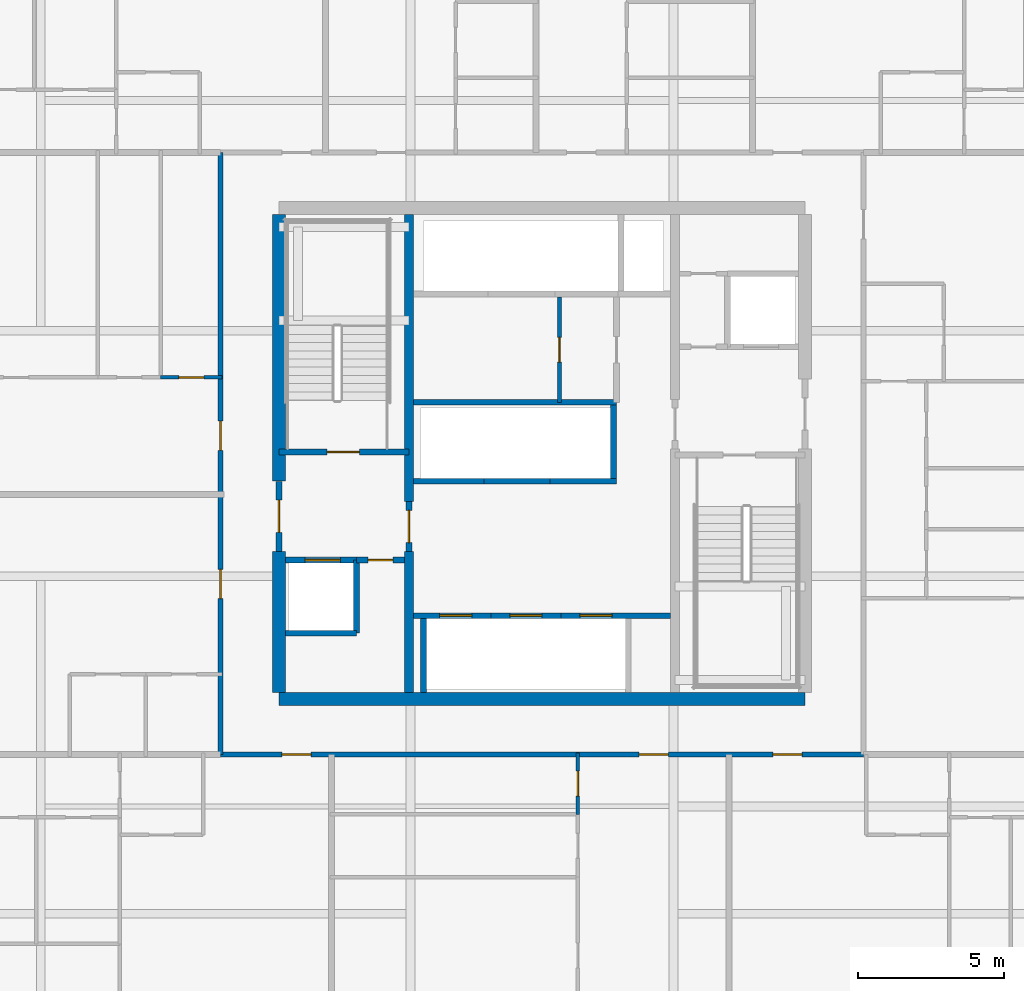
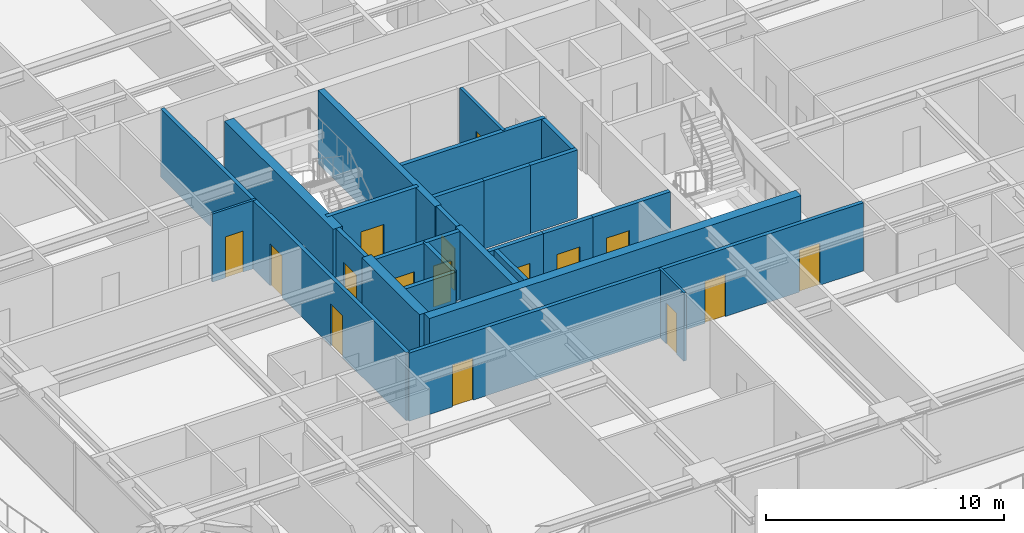
# One storey, part 28 of 41: 26 walls, 16 doors, 16 openings.
"""IFC4 building model written with IfcOpenShell, lengths in metres."""

from ifc_helpers import new_model, si_unit, direction, frame, frame_2d, origin, place, context, subcontext, project, spatial, rectangle, extrude, source, transform, mapped, material, layer, layer_set, type_object, element, fill, save


model = new_model("IFC4")

# Units and contexts
model_context = context("Model", 3, precision=1e-05, world=origin(), true_north=direction((0.0, 1.0)))
body_context = subcontext(model_context, "Body", "Model", "MODEL_VIEW")
ifc_project = project(units=[si_unit("LENGTHUNIT", "METRE"), si_unit("AREAUNIT", "SQUARE_METRE"), si_unit("VOLUMEUNIT", "CUBIC_METRE"), si_unit("PLANEANGLEUNIT", "RADIAN"), si_unit("MASSUNIT", "GRAM", prefix="KILO")], contexts=[model_context])

# Site, building, storey
site_placement = place(None, origin())
site = spatial("IfcSite", under=ifc_project, at=site_placement, CompositionType="ELEMENT")
building_placement = place(site_placement, origin())
building = spatial("IfcBuilding", under=site, at=building_placement, Name="Serunith Strait Residences", CompositionType="ELEMENT")
storey_placement = place(building_placement, frame((0.0, 0.0, 45.449951171875)))
storey = spatial("IfcBuildingStorey", under=building, at=storey_placement, Name="L10", CompositionType="ELEMENT", Elevation=45.449951171875)

# Wall, opening, door
ifc_material_1 = material(Name="Fire-rated masonry service closet wall", Category="masonry")
ifc_layer_1 = layer(ifc_material_1, 0.14990234375, Name="Fire-rated masonry service closet wall")
ifc_layer_set_1 = layer_set([ifc_layer_1], Name="Fire-rated masonry service closet wall")
wall_type_1 = type_object("IfcWallType", Name="IW-BOH-150", PredefinedType="PARTITIONING", material=ifc_layer_set_1)
wall_1_placement = place(storey_placement, frame((33.0, 26.949951171875, 0.0), z_axis=(0.0, 0.0, 1.0), x_axis=(0.0, 1.0, 0.0)))
wall_1 = element("IfcWall", 1, at=wall_1_placement, inside=storey, type_object=wall_type_1, Name="L10 Partition Wall 014", PredefinedType="PARTITIONING", context=body_context, shape_type="SweptSolid", body=[
    extrude(rectangle(XDim=3.60009765625, YDim=0.14990234375, at=frame_2d((1.800048828125, 0.0))), origin(), (0.0, 0.0, 1.0), 3.489990234375),
])
opening_1_placement = place(wall_1_placement, frame((1.375, 0.0, 0.0)))
opening_1 = element("IfcOpeningElement", 2, at=opening_1_placement, cuts=wall_1, Name="Opening FD-850", PredefinedType="OPENING", context=body_context, shape_type="SweptSolid", body=[
    extrude(rectangle(XDim=0.85009765625, YDim=2.10009765625, at=frame_2d((0.425048828125, 1.050048828125))), frame((0.0, 0.0849609375, 0.0), z_axis=(0.0, -1.0, 0.0), x_axis=(1.0, 0.0, 0.0)), (0.0, 0.0, 1.0), 0.169921875),
])
ifc_material_2 = material(Name="Powder-coated steel service closet door", Category="steel")
door_type_1 = type_object("IfcDoorType", Name="FD-BOH-850", OperationType="NOTDEFINED", PredefinedType="DOOR", material=ifc_material_2)
shared_shape_1 = source(origin(), body_context, "Body", "SweptSolid", [
    extrude(rectangle(XDim=0.85009765625, YDim=2.10009765625, at=frame_2d((0.425048828125, 1.050048828125))), frame((0.0, 0.02490234375, 0.0), z_axis=(0.0, -1.0, 0.0), x_axis=(1.0, 0.0, 0.0)), (0.0, 0.0, 1.0), 0.050048828125),
])
door_1_placement = place(opening_1_placement, origin())
door_1 = element("IfcDoor", 3, at=door_1_placement, inside=storey, type_object=door_type_1, Name="L10 LV Switchgear Door", OperationType="SINGLE_SWING_LEFT", OverallHeight=2.10009765625, OverallWidth=0.85009765625, PredefinedType="DOOR", context=body_context, shape_type="MappedRepresentation", body=[
    mapped(shared_shape_1, transform((0.0, 0.0, 0.0), scale=1.0)),
])
fill(opening_1, door_1)

# Wall, openings, doors
ifc_material_3 = material(Name="Fire-rated acoustic gypsum partition")
ifc_layer_2 = layer(ifc_material_3, 0.179931640625, Name="Fire-rated acoustic gypsum partition")
ifc_layer_set_2 = layer_set([ifc_layer_2], Name="Fire-rated acoustic gypsum partition")
wall_type_2 = type_object("IfcWallType", Name="IW-CORR-180", PredefinedType="PARTITIONING", material=ifc_layer_set_2)
wall_2_placement = place(storey_placement, frame((21.402099609375, 14.89990234375, 0.0), z_axis=(0.0, 0.0, 1.0), x_axis=(1.0, 0.0, 0.0)))
wall_2 = element("IfcWall", 4, at=wall_2_placement, inside=storey, type_object=wall_type_2, Name="L10 Partition Wall 025", PredefinedType="PARTITIONING", context=body_context, shape_type="SweptSolid", body=[
    extrude(rectangle(XDim=21.995849609375, YDim=0.179931640625, at=frame_2d((10.998046875, 0.0))), origin(), (0.0, 0.0, 1.0), 3.489990234375),
])
opening_2_placement = place(wall_2_placement, frame((2.10009765625, 0.0, 0.0)))
opening_2 = element("IfcOpeningElement", 5, at=opening_2_placement, cuts=wall_2, Name="Opening D-APT1000", PredefinedType="OPENING", context=body_context, shape_type="SweptSolid", body=[
    extrude(rectangle(XDim=1.0, YDim=2.14990234375, at=frame_2d((0.5, 1.074951171875))), frame((0.0, 0.10009765625, 0.0), z_axis=(0.0, -1.0, 0.0), x_axis=(1.0, 0.0, 0.0)), (0.0, 0.0, 1.0), 0.199951171875),
])
opening_3_placement = place(wall_2_placement, frame((14.319091796875, 0.0, 0.0)))
opening_3 = element("IfcOpeningElement", 6, at=opening_3_placement, cuts=wall_2, Name="Opening D-APT1000", PredefinedType="OPENING", context=body_context, shape_type="SweptSolid", body=[
    extrude(rectangle(XDim=1.0, YDim=2.14990234375, at=frame_2d((0.5, 1.074951171875))), frame((0.0, 0.10009765625, 0.0), z_axis=(0.0, -1.0, 0.0), x_axis=(1.0, 0.0, 0.0)), (0.0, 0.0, 1.0), 0.199951171875),
])
opening_4_placement = place(wall_2_placement, frame((18.89599609375, 0.0, 0.0)))
opening_4 = element("IfcOpeningElement", 7, at=opening_4_placement, cuts=wall_2, Name="Opening D-APT1000", PredefinedType="OPENING", context=body_context, shape_type="SweptSolid", body=[
    extrude(rectangle(XDim=1.0, YDim=2.14990234375, at=frame_2d((0.5, 1.074951171875))), frame((0.0, 0.10009765625, 0.0), z_axis=(0.0, -1.0, 0.0), x_axis=(1.0, 0.0, 0.0)), (0.0, 0.0, 1.0), 0.199951171875),
])
ifc_material_4 = material(Name="Solid timber engineered fire door", Category="wood")
door_type_2 = type_object("IfcDoorType", Name="ID-APT-1000", OperationType="NOTDEFINED", PredefinedType="DOOR", material=ifc_material_4)
shared_shape_2 = source(origin(), body_context, "Body", "SweptSolid", [
    extrude(rectangle(XDim=1.0, YDim=2.14990234375, at=frame_2d((0.5, 1.074951171875))), frame((0.0, 0.02490234375, 0.0), z_axis=(0.0, -1.0, 0.0), x_axis=(1.0, 0.0, 0.0)), (0.0, 0.0, 1.0), 0.050048828125),
])
door_2_placement = place(opening_2_placement, origin())
door_2 = element("IfcDoor", 8, at=door_2_placement, inside=storey, type_object=door_type_2, Name="L10 Unit 01 Entrance Door", OperationType="SINGLE_SWING_RIGHT", OverallHeight=2.14990234375, OverallWidth=1.0, PredefinedType="DOOR", context=body_context, shape_type="MappedRepresentation", body=[
    mapped(shared_shape_2, transform((0.0, 0.0, 0.0), scale=1.0)),
])
fill(opening_2, door_2)
door_3_placement = place(opening_3_placement, origin())
door_3 = element("IfcDoor", 9, at=door_3_placement, inside=storey, type_object=door_type_2, Name="L10 Unit 02 Entrance Door", OperationType="SINGLE_SWING_LEFT", OverallHeight=2.14990234375, OverallWidth=1.0, PredefinedType="DOOR", context=body_context, shape_type="MappedRepresentation", body=[
    mapped(shared_shape_2, transform((0.0, 0.0, 0.0), scale=1.0)),
])
fill(opening_3, door_3)
door_4_placement = place(opening_4_placement, origin())
door_4 = element("IfcDoor", 10, at=door_4_placement, inside=storey, type_object=door_type_2, Name="L10 Unit 03 Entrance Door", OperationType="SINGLE_SWING_RIGHT", OverallHeight=2.14990234375, OverallWidth=1.0, PredefinedType="DOOR", context=body_context, shape_type="MappedRepresentation", body=[
    mapped(shared_shape_2, transform((0.0, 0.0, 0.0), scale=1.0)),
])
fill(opening_4, door_4)

wall_3_placement = place(storey_placement, frame((21.39990234375, 14.89990234375, 0.0), z_axis=(0.0, 0.0, 1.0), x_axis=(0.0, 1.0, 0.0)))
wall_3 = element("IfcWall", 11, at=wall_3_placement, inside=storey, type_object=wall_type_2, Name="L10 Partition Wall 027", PredefinedType="PARTITIONING", context=body_context, shape_type="SweptSolid", body=[
    extrude(rectangle(XDim=20.60009765625, YDim=0.179931640625, at=frame_2d((10.300048828125, 0.0))), origin(), (0.0, 0.0, 1.0), 3.489990234375),
])
opening_5_placement = place(wall_3_placement, frame((5.3310546875, 0.0, 0.0)))
opening_5 = element("IfcOpeningElement", 12, at=opening_5_placement, cuts=wall_3, Name="Opening D-APT1000", PredefinedType="OPENING", context=body_context, shape_type="SweptSolid", body=[
    extrude(rectangle(XDim=1.0, YDim=2.14990234375, at=frame_2d((0.5, 1.074951171875))), frame((0.0, 0.10009765625, 0.0), z_axis=(0.0, -1.0, 0.0), x_axis=(1.0, 0.0, 0.0)), (0.0, 0.0, 1.0), 0.199951171875),
])
opening_6_placement = place(wall_3_placement, frame((10.407958984375, 0.0, 0.0)))
opening_6 = element("IfcOpeningElement", 13, at=opening_6_placement, cuts=wall_3, Name="Opening D-APT1000", PredefinedType="OPENING", context=body_context, shape_type="SweptSolid", body=[
    extrude(rectangle(XDim=1.0, YDim=2.14990234375, at=frame_2d((0.5, 1.074951171875))), frame((0.0, 0.10009765625, 0.0), z_axis=(0.0, -1.0, 0.0), x_axis=(1.0, 0.0, 0.0)), (0.0, 0.0, 1.0), 0.199951171875),
])
door_5_placement = place(opening_5_placement, origin())
door_5 = element("IfcDoor", 14, at=door_5_placement, inside=storey, type_object=door_type_2, Name="L10 Unit 08 Entrance Door", OperationType="SINGLE_SWING_LEFT", OverallHeight=2.14990234375, OverallWidth=1.0, PredefinedType="DOOR", context=body_context, shape_type="MappedRepresentation", body=[
    mapped(shared_shape_2, transform((0.0, 0.0, 0.0), scale=1.0)),
])
fill(opening_5, door_5)
door_6_placement = place(opening_6_placement, origin())
door_6 = element("IfcDoor", 15, at=door_6_placement, inside=storey, type_object=door_type_2, Name="L10 Unit 09 Entrance Door", OperationType="SINGLE_SWING_RIGHT", OverallHeight=2.14990234375, OverallWidth=1.0, PredefinedType="DOOR", context=body_context, shape_type="MappedRepresentation", body=[
    mapped(shared_shape_2, transform((0.0, 0.0, 0.0), scale=1.0)),
])
fill(opening_6, door_6)

# Wall, opening, door
ifc_material_5 = material(Name="Lightweight steel-stud gypsum partition", Category="steel")
ifc_layer_3 = layer(ifc_material_5, 0.1201171875, Name="Lightweight steel-stud gypsum partition")
ifc_layer_set_3 = layer_set([ifc_layer_3], Name="Lightweight steel-stud gypsum partition")
wall_type_3 = type_object("IfcWallType", Name="IW-PART-120", PredefinedType="PARTITIONING", material=ifc_layer_set_3)
wall_4_placement = place(storey_placement, frame((33.6298828125, 12.85205078125, 0.0), z_axis=(0.0, 0.0, 1.0), x_axis=(0.0, 1.0, 0.0)))
wall_4 = element("IfcWall", 16, at=wall_4_placement, inside=storey, type_object=wall_type_3, Name="L10 Partition Wall 050", PredefinedType="PARTITIONING", context=body_context, shape_type="SweptSolid", body=[
    extrude(rectangle(XDim=2.10791015625, YDim=0.1201171875, at=frame_2d((1.053955078125, 0.0))), origin(), (0.0, 0.0, 1.0), 3.489990234375),
])
opening_7_placement = place(wall_4_placement, frame((0.62890625, 0.0, 0.0)))
opening_7 = element("IfcOpeningElement", 17, at=opening_7_placement, cuts=wall_4, Name="Opening D-BTH850", PredefinedType="OPENING", context=body_context, shape_type="SweptSolid", body=[
    extrude(rectangle(XDim=0.85009765625, YDim=2.10009765625, at=frame_2d((0.425048828125, 1.050048828125))), frame((0.0, 0.070068359375, 0.0), z_axis=(0.0, -1.0, 0.0), x_axis=(1.0, 0.0, 0.0)), (0.0, 0.0, 1.0), 0.14013671875),
])
ifc_material_6 = material(Name="Moisture-resistant timber bathroom door", Category="wood")
door_type_3 = type_object("IfcDoorType", Name="ID-BATH-850", OperationType="NOTDEFINED", PredefinedType="DOOR", material=ifc_material_6)
door_7_placement = place(opening_7_placement, origin())
door_7 = element("IfcDoor", 18, at=door_7_placement, inside=storey, type_object=door_type_3, Name="L10 Bathroom 1002 Door", OperationType="SINGLE_SWING_LEFT", OverallHeight=2.10009765625, OverallWidth=0.85009765625, PredefinedType="DOOR", context=body_context, shape_type="MappedRepresentation", body=[
    mapped(shared_shape_1, transform((0.0, 0.0, 0.0), scale=1.0)),
])
fill(opening_7, door_7)

wall_5_placement = place(storey_placement, frame((19.35205078125, 27.800048828125, 0.0), z_axis=(0.0, 0.0, 1.0), x_axis=(1.0, 0.0, 0.0)))
wall_5 = element("IfcWall", 19, at=wall_5_placement, inside=storey, type_object=wall_type_3, Name="L10 Partition Wall 114", PredefinedType="PARTITIONING", context=body_context, shape_type="SweptSolid", body=[
    extrude(rectangle(XDim=2.10791015625, YDim=0.1201171875, at=frame_2d((1.053955078125, 0.0))), origin(), (0.0, 0.0, 1.0), 3.489990234375),
])
opening_8_placement = place(wall_5_placement, frame((0.62890625, 0.0, 0.0)))
opening_8 = element("IfcOpeningElement", 20, at=opening_8_placement, cuts=wall_5, Name="Opening D-BTH850", PredefinedType="OPENING", context=body_context, shape_type="SweptSolid", body=[
    extrude(rectangle(XDim=0.85009765625, YDim=2.10009765625, at=frame_2d((0.425048828125, 1.050048828125))), frame((0.0, 0.070068359375, 0.0), z_axis=(0.0, -1.0, 0.0), x_axis=(1.0, 0.0, 0.0)), (0.0, 0.0, 1.0), 0.14013671875),
])
door_8_placement = place(opening_8_placement, origin())
door_8 = element("IfcDoor", 21, at=door_8_placement, inside=storey, type_object=door_type_3, Name="L10 Bathroom 1009 Door", OperationType="SINGLE_SWING_LEFT", OverallHeight=2.10009765625, OverallWidth=0.85009765625, PredefinedType="DOOR", context=body_context, shape_type="MappedRepresentation", body=[
    mapped(shared_shape_1, transform((0.0, 0.0, 0.0), scale=1.0)),
])
fill(opening_8, door_8)

ifc_material_7 = material(Name="Autoclaved aerated concrete blockwork", Category="masonry")
ifc_layer_4 = layer(ifc_material_7, 0.199951171875, Name="Autoclaved aerated concrete blockwork")
ifc_layer_set_4 = layer_set([ifc_layer_4], Name="Autoclaved aerated concrete blockwork")
wall_type_4 = type_object("IfcWallType", Name="IW-SHAFT-200", PredefinedType="STANDARD", material=ifc_layer_set_4)
wall_6_placement = place(storey_placement, frame((23.39990234375, 25.25, 0.0), z_axis=(0.0, 0.0, 1.0), x_axis=(1.0, 0.0, 0.0)))
wall_6 = element("IfcWall", 22, at=wall_6_placement, inside=storey, type_object=wall_type_4, Name="L10 ST-1 South Shaft Wall", PredefinedType="STANDARD", context=body_context, shape_type="SweptSolid", body=[
    extrude(rectangle(XDim=4.4501953125, YDim=0.199951171875, at=frame_2d((2.22509765625, 0.0))), origin(), (0.0, 0.0, 1.0), 3.489990234375),
])
opening_9_placement = place(wall_6_placement, frame((1.64990234375, 0.0, 0.0)))
opening_9 = element("IfcOpeningElement", 23, at=opening_9_placement, cuts=wall_6, Name="Opening FD-1100", PredefinedType="OPENING", context=body_context, shape_type="SweptSolid", body=[
    extrude(rectangle(XDim=1.10009765625, YDim=2.14990234375, at=frame_2d((0.550048828125, 1.074951171875))), frame((0.0, 0.10986328125, 0.0), z_axis=(0.0, -1.0, 0.0), x_axis=(1.0, 0.0, 0.0)), (0.0, 0.0, 1.0), 0.219970703125),
])
ifc_material_8 = material(Name="Galvanised steel fire door leaf", Category="steel")
door_type_4 = type_object("IfcDoorType", Name="FD-STAIR-1100", OperationType="NOTDEFINED", PredefinedType="DOOR", material=ifc_material_8)
shared_shape_3 = source(origin(), body_context, "Body", "SweptSolid", [
    extrude(rectangle(XDim=1.10009765625, YDim=2.14990234375, at=frame_2d((0.550048828125, 1.074951171875))), frame((0.0, 0.02490234375, 0.0), z_axis=(0.0, -1.0, 0.0), x_axis=(1.0, 0.0, 0.0)), (0.0, 0.0, 1.0), 0.050048828125),
])
door_9_placement = place(opening_9_placement, origin())
door_9 = element("IfcDoor", 24, at=door_9_placement, inside=storey, type_object=door_type_4, Name="L10 ST-1 Escape Stair Door", OperationType="SINGLE_SWING_RIGHT", OverallHeight=2.14990234375, OverallWidth=1.10009765625, PredefinedType="DOOR", context=body_context, shape_type="MappedRepresentation", body=[
    mapped(shared_shape_3, transform((0.0, 0.0, 0.0), scale=1.0)),
])
fill(opening_9, door_9)

wall_7_placement = place(storey_placement, frame((23.625, 21.550048828125, 0.0), z_axis=(0.0, 0.0, 1.0), x_axis=(1.0, 0.0, 0.0)))
wall_7 = element("IfcWall", 25, at=wall_7_placement, inside=storey, type_object=wall_type_4, Name="L10 FL-1 North Shaft Wall", PredefinedType="STANDARD", context=body_context, shape_type="SweptSolid", body=[
    extrude(rectangle(XDim=2.425048828125, YDim=0.199951171875, at=frame_2d((1.21240234375, 0.0))), origin(), (0.0, 0.0, 1.0), 3.489990234375),
])
opening_10_placement = place(wall_7_placement, frame((0.675048828125, 0.0, 0.0)))
opening_10 = element("IfcOpeningElement", 26, at=opening_10_placement, cuts=wall_7, Name="Opening LD-FF1200", PredefinedType="OPENING", context=body_context, shape_type="SweptSolid", body=[
    extrude(rectangle(XDim=1.199951171875, YDim=2.199951171875, at=frame_2d((0.60009765625, 1.10009765625))), frame((0.0, 0.10986328125, 0.0), z_axis=(0.0, -1.0, 0.0), x_axis=(1.0, 0.0, 0.0)), (0.0, 0.0, 1.0), 0.219970703125),
])
ifc_material_9 = material(Name="Brushed stainless steel landing door", Category="steel")
door_type_5 = type_object("IfcDoorType", Name="LD-FF-1200", OperationType="DOUBLE_DOOR_SLIDING", PredefinedType="DOOR", material=ifc_material_9)
shared_shape_4 = source(origin(), body_context, "Body", "SweptSolid", [
    extrude(rectangle(XDim=1.199951171875, YDim=2.199951171875, at=frame_2d((0.60009765625, 1.10009765625))), frame((0.0, 0.02490234375, 0.0), z_axis=(0.0, -1.0, 0.0), x_axis=(1.0, 0.0, 0.0)), (0.0, 0.0, 1.0), 0.050048828125),
])
door_10_placement = place(opening_10_placement, origin())
door_10 = element("IfcDoor", 27, at=door_10_placement, inside=storey, type_object=door_type_5, Name="L10 FL-1 Landing Door", OperationType="DOUBLE_DOOR_SLIDING", OverallHeight=2.199951171875, OverallWidth=1.199951171875, PredefinedType="DOOR", context=body_context, shape_type="MappedRepresentation", body=[
    mapped(shared_shape_4, transform((0.0, 0.0, 0.0), scale=1.0)),
])
fill(opening_10, door_10)

wall_8_placement = place(storey_placement, frame((28.0, 19.64990234375, 0.0), z_axis=(0.0, 0.0, 1.0), x_axis=(1.0, 0.0, 0.0)))
wall_8 = element("IfcWall", 28, at=wall_8_placement, inside=storey, type_object=wall_type_4, Name="L10 PL-1 North Shaft Wall", PredefinedType="STANDARD", context=body_context, shape_type="SweptSolid", body=[
    extrude(rectangle(XDim=2.64990234375, YDim=0.199951171875, at=frame_2d((1.324951171875, 0.0))), origin(), (0.0, 0.0, 1.0), 3.489990234375),
])
opening_11_placement = place(wall_8_placement, frame((0.89990234375, 0.0, 0.0)))
opening_11 = element("IfcOpeningElement", 29, at=opening_11_placement, cuts=wall_8, Name="Opening LD-1100", PredefinedType="OPENING", context=body_context, shape_type="SweptSolid", body=[
    extrude(rectangle(XDim=1.10009765625, YDim=2.199951171875, at=frame_2d((0.550048828125, 1.10009765625))), frame((0.0, 0.10986328125, 0.0), z_axis=(0.0, -1.0, 0.0), x_axis=(1.0, 0.0, 0.0)), (0.0, 0.0, 1.0), 0.219970703125),
])
ifc_material_10 = material(Name="Pale-champagne stainless landing door")
door_type_6 = type_object("IfcDoorType", Name="LD-LIFT-1100", OperationType="DOUBLE_DOOR_SLIDING", PredefinedType="DOOR", material=ifc_material_10)
shared_shape_5 = source(origin(), body_context, "Body", "SweptSolid", [
    extrude(rectangle(XDim=1.10009765625, YDim=2.199951171875, at=frame_2d((0.550048828125, 1.10009765625))), frame((0.0, 0.02490234375, 0.0), z_axis=(0.0, -1.0, 0.0), x_axis=(1.0, 0.0, 0.0)), (0.0, 0.0, 1.0), 0.050048828125),
])
door_11_placement = place(opening_11_placement, origin())
door_11 = element("IfcDoor", 30, at=door_11_placement, inside=storey, type_object=door_type_6, Name="L10 PL-1 Landing Door", OperationType="DOUBLE_DOOR_SLIDING", OverallHeight=2.199951171875, OverallWidth=1.10009765625, PredefinedType="DOOR", context=body_context, shape_type="MappedRepresentation", body=[
    mapped(shared_shape_5, transform((0.0, 0.0, 0.0), scale=1.0)),
])
fill(opening_11, door_11)

# Wall
wall_9_placement = place(storey_placement, frame((28.35009765625, 17.02490234375, 0.0), z_axis=(0.0, 0.0, 1.0), x_axis=(0.0, 1.0, 0.0)))
element("IfcWall", 31, at=wall_9_placement, inside=storey, type_object=wall_type_4, Name="L10 PL-1 West Shaft Wall", PredefinedType="STANDARD", context=body_context, shape_type="SweptSolid", body=[
    extrude(rectangle(XDim=2.525146484375, YDim=0.199951171875, at=frame_2d((1.2626953125, 0.0))), origin(), (0.0, 0.0, 1.0), 3.489990234375),
])

# Wall, opening, door
wall_10_placement = place(storey_placement, frame((30.64990234375, 19.64990234375, 0.0), z_axis=(0.0, 0.0, 1.0), x_axis=(1.0, 0.0, 0.0)))
wall_10 = element("IfcWall", 32, at=wall_10_placement, inside=storey, type_object=wall_type_4, Name="L10 PL-2 North Shaft Wall", PredefinedType="STANDARD", context=body_context, shape_type="SweptSolid", body=[
    extrude(rectangle(XDim=2.400146484375, YDim=0.199951171875, at=frame_2d((1.2001953125, 0.0))), origin(), (0.0, 0.0, 1.0), 3.489990234375),
])
opening_12_placement = place(wall_10_placement, frame((0.64990234375, 0.0, 0.0)))
opening_12 = element("IfcOpeningElement", 33, at=opening_12_placement, cuts=wall_10, Name="Opening LD-1100", PredefinedType="OPENING", context=body_context, shape_type="SweptSolid", body=[
    extrude(rectangle(XDim=1.10009765625, YDim=2.199951171875, at=frame_2d((0.550048828125, 1.10009765625))), frame((0.0, 0.10986328125, 0.0), z_axis=(0.0, -1.0, 0.0), x_axis=(1.0, 0.0, 0.0)), (0.0, 0.0, 1.0), 0.219970703125),
])
door_12_placement = place(opening_12_placement, origin())
door_12 = element("IfcDoor", 34, at=door_12_placement, inside=storey, type_object=door_type_6, Name="L10 PL-2 Landing Door", OperationType="DOUBLE_DOOR_SLIDING", OverallHeight=2.199951171875, OverallWidth=1.10009765625, PredefinedType="DOOR", context=body_context, shape_type="MappedRepresentation", body=[
    mapped(shared_shape_5, transform((0.0, 0.0, 0.0), scale=1.0)),
])
fill(opening_12, door_12)

wall_11_placement = place(storey_placement, frame((33.050048828125, 19.64990234375, 0.0), z_axis=(0.0, 0.0, 1.0), x_axis=(1.0, 0.0, 0.0)))
wall_11 = element("IfcWall", 35, at=wall_11_placement, inside=storey, type_object=wall_type_4, Name="L10 PL-3 North Shaft Wall", PredefinedType="STANDARD", context=body_context, shape_type="SweptSolid", body=[
    extrude(rectangle(XDim=3.75, YDim=0.199951171875, at=frame_2d((1.875, 0.0))), origin(), (0.0, 0.0, 1.0), 3.489990234375),
])
opening_13_placement = place(wall_11_placement, frame((0.64990234375, 0.0, 0.0)))
opening_13 = element("IfcOpeningElement", 36, at=opening_13_placement, cuts=wall_11, Name="Opening LD-1100", PredefinedType="OPENING", context=body_context, shape_type="SweptSolid", body=[
    extrude(rectangle(XDim=1.10009765625, YDim=2.199951171875, at=frame_2d((0.550048828125, 1.10009765625))), frame((0.0, 0.10986328125, 0.0), z_axis=(0.0, -1.0, 0.0), x_axis=(1.0, 0.0, 0.0)), (0.0, 0.0, 1.0), 0.219970703125),
])
door_13_placement = place(opening_13_placement, origin())
door_13 = element("IfcDoor", 37, at=door_13_placement, inside=storey, type_object=door_type_6, Name="L10 PL-3 Landing Door", OperationType="DOUBLE_DOOR_SLIDING", OverallHeight=2.199951171875, OverallWidth=1.10009765625, PredefinedType="DOOR", context=body_context, shape_type="MappedRepresentation", body=[
    mapped(shared_shape_5, transform((0.0, 0.0, 0.0), scale=1.0)),
])
fill(opening_13, door_13)

# Walls
wall_12_placement = place(storey_placement, frame((28.0, 24.25, 0.0), z_axis=(0.0, 0.0, 1.0), x_axis=(1.0, 0.0, 0.0)))
element("IfcWall", 38, at=wall_12_placement, inside=storey, type_object=wall_type_4, Name="L10 PL-4 South Shaft Wall", PredefinedType="STANDARD", context=body_context, shape_type="SweptSolid", body=[
    extrude(rectangle(XDim=2.425048828125, YDim=0.199951171875, at=frame_2d((1.21240234375, 0.0))), origin(), (0.0, 0.0, 1.0), 3.489990234375),
])
wall_13_placement = place(storey_placement, frame((30.425048828125, 24.25, 0.0), z_axis=(0.0, 0.0, 1.0), x_axis=(1.0, 0.0, 0.0)))
element("IfcWall", 39, at=wall_13_placement, inside=storey, type_object=wall_type_4, Name="L10 PL-5 South Shaft Wall", PredefinedType="STANDARD", context=body_context, shape_type="SweptSolid", body=[
    extrude(rectangle(XDim=2.25, YDim=0.199951171875, at=frame_2d((1.125, 0.0))), origin(), (0.0, 0.0, 1.0), 3.489990234375),
])
wall_14_placement = place(storey_placement, frame((32.675048828125, 24.25, 0.0), z_axis=(0.0, 0.0, 1.0), x_axis=(1.0, 0.0, 0.0)))
element("IfcWall", 40, at=wall_14_placement, inside=storey, type_object=wall_type_4, Name="L10 PL-6 South Shaft Wall", PredefinedType="STANDARD", context=body_context, shape_type="SweptSolid", body=[
    extrude(rectangle(XDim=2.27490234375, YDim=0.199951171875, at=frame_2d((1.137451171875, 0.0))), origin(), (0.0, 0.0, 1.0), 3.489990234375),
])
for number, where, z_axis, x_axis, name in (
    (41, (34.85009765625, 24.35009765625, 0.0), (0.0, 0.0, 1.0), (0.0, 1.0, 0.0), "L10 PL-6 East Shaft Wall"),
    (42, (26.050048828125, 19.050048828125, 0.0), (0.0, 0.0, 1.0), (0.0, 1.0, 0.0), "L10 Partition Wall 001"),
):
    element("IfcWall", number, at=place(storey_placement, frame(where, z_axis=z_axis, x_axis=x_axis)), inside=storey, type_object=wall_type_4, Name=name, PredefinedType="STANDARD", context=body_context, shape_type="SweptSolid", body=[
        extrude(rectangle(XDim=2.5, YDim=0.199951171875, at=frame_2d((1.25, 0.0))), origin(), (0.0, 0.0, 1.0), 3.489990234375),
    ])
wall_15_placement = place(storey_placement, frame((23.625, 19.050048828125, 0.0), z_axis=(0.0, 0.0, 1.0), x_axis=(1.0, 0.0, 0.0)))
element("IfcWall", 43, at=wall_15_placement, inside=storey, type_object=wall_type_4, Name="L10 Partition Wall 002", PredefinedType="STANDARD", context=body_context, shape_type="SweptSolid", body=[
    extrude(rectangle(XDim=2.425048828125, YDim=0.199951171875, at=frame_2d((1.21240234375, 0.0))), origin(), (0.0, 0.0, 1.0), 3.489990234375),
])

# Wall, opening, door
wall_16_placement = place(storey_placement, frame((26.052001953125, 21.550048828125, 0.0), z_axis=(0.0, 0.0, 1.0), x_axis=(1.0, 0.0, 0.0)))
wall_16 = element("IfcWall", 44, at=wall_16_placement, inside=storey, type_object=wall_type_4, Name="L10 Partition Wall 003", PredefinedType="STANDARD", context=body_context, shape_type="SweptSolid", body=[
    extrude(rectangle(XDim=1.64794921875, YDim=0.199951171875, at=frame_2d((0.823974609375, 0.0))), origin(), (0.0, 0.0, 1.0), 3.489990234375),
])
opening_14_placement = place(wall_16_placement, frame((0.39892578125, 0.0, 0.0)))
opening_14 = element("IfcOpeningElement", 45, at=opening_14_placement, cuts=wall_16, Name="Opening FD-850", PredefinedType="OPENING", context=body_context, shape_type="SweptSolid", body=[
    extrude(rectangle(XDim=0.85009765625, YDim=2.10009765625, at=frame_2d((0.425048828125, 1.050048828125))), frame((0.0, 0.10986328125, 0.0), z_axis=(0.0, -1.0, 0.0), x_axis=(1.0, 0.0, 0.0)), (0.0, 0.0, 1.0), 0.219970703125),
])
door_14_placement = place(opening_14_placement, origin())
door_14 = element("IfcDoor", 46, at=door_14_placement, inside=storey, type_object=door_type_1, Name="L10 South-West Core Service Door", OperationType="SINGLE_SWING_LEFT", OverallHeight=2.10009765625, OverallWidth=0.85009765625, PredefinedType="DOOR", context=body_context, shape_type="MappedRepresentation", body=[
    mapped(shared_shape_1, transform((0.0, 0.0, 0.0), scale=1.0)),
])
fill(opening_14, door_14)

wall_17_placement = place(storey_placement, frame((23.39990234375, 21.85205078125, 0.0), z_axis=(0.0, 0.0, 1.0), x_axis=(0.0, 1.0, 0.0)))
wall_17 = element("IfcWall", 47, at=wall_17_placement, inside=storey, type_object=wall_type_4, Name="L10 Partition Wall 007", PredefinedType="STANDARD", context=body_context, shape_type="SweptSolid", body=[
    extrude(rectangle(XDim=2.39599609375, YDim=0.199951171875, at=frame_2d((1.197998046875, 0.0))), origin(), (0.0, 0.0, 1.0), 3.489990234375),
])
opening_15_placement = place(wall_17_placement, frame((0.64794921875, 0.0, 0.0)))
opening_15 = element("IfcOpeningElement", 48, at=opening_15_placement, cuts=wall_17, Name="Opening FD-FFL", PredefinedType="OPENING", context=body_context, shape_type="SweptSolid", body=[
    extrude(rectangle(XDim=1.10009765625, YDim=2.14990234375, at=frame_2d((0.550048828125, 1.074951171875))), frame((0.0, 0.10986328125, 0.0), z_axis=(0.0, -1.0, 0.0), x_axis=(1.0, 0.0, 0.0)), (0.0, 0.0, 1.0), 0.219970703125),
])
ifc_material_11 = material(Name="Glazed steel smoke-lobby fire door", Category="steel")
door_type_7 = type_object("IfcDoorType", Name="FD-FFL-1100", OperationType="NOTDEFINED", PredefinedType="DOOR", material=ifc_material_11)
door_15_placement = place(opening_15_placement, origin())
door_15 = element("IfcDoor", 49, at=door_15_placement, inside=storey, type_object=door_type_7, Name="L10 FFL-1 Corridor Fire Door", OperationType="SINGLE_SWING_LEFT", OverallHeight=2.14990234375, OverallWidth=1.10009765625, PredefinedType="DOOR", context=body_context, shape_type="MappedRepresentation", body=[
    mapped(shared_shape_3, transform((0.0, 0.0, 0.0), scale=1.0)),
])
fill(opening_15, door_15)

wall_18_placement = place(storey_placement, frame((27.85009765625, 21.85205078125, 0.0), z_axis=(0.0, 0.0, 1.0), x_axis=(0.0, 1.0, 0.0)))
wall_18 = element("IfcWall", 50, at=wall_18_placement, inside=storey, type_object=wall_type_4, Name="L10 Partition Wall 009", PredefinedType="STANDARD", context=body_context, shape_type="SweptSolid", body=[
    extrude(rectangle(XDim=1.696044921875, YDim=0.199951171875, at=frame_2d((0.84814453125, 0.0))), origin(), (0.0, 0.0, 1.0), 3.489990234375),
])
opening_16_placement = place(wall_18_placement, frame((0.298095703125, 0.0, 0.0)))
opening_16 = element("IfcOpeningElement", 51, at=opening_16_placement, cuts=wall_18, Name="Opening FD-FFL", PredefinedType="OPENING", context=body_context, shape_type="SweptSolid", body=[
    extrude(rectangle(XDim=1.10009765625, YDim=2.14990234375, at=frame_2d((0.550048828125, 1.074951171875))), frame((0.0, 0.10986328125, 0.0), z_axis=(0.0, -1.0, 0.0), x_axis=(1.0, 0.0, 0.0)), (0.0, 0.0, 1.0), 0.219970703125),
])
door_16_placement = place(opening_16_placement, origin())
door_16 = element("IfcDoor", 52, at=door_16_placement, inside=storey, type_object=door_type_7, Name="L10 FFL-1 Lift Lobby Door", OperationType="SINGLE_SWING_LEFT", OverallHeight=2.14990234375, OverallWidth=1.10009765625, PredefinedType="DOOR", context=body_context, shape_type="MappedRepresentation", body=[
    mapped(shared_shape_3, transform((0.0, 0.0, 0.0), scale=1.0)),
])
fill(opening_16, door_16)

# Walls
wall_19_placement = place(storey_placement, frame((28.0, 26.949951171875, 0.0), z_axis=(0.0, 0.0, 1.0), x_axis=(1.0, 0.0, 0.0)))
element("IfcWall", 53, at=wall_19_placement, inside=storey, type_object=wall_type_4, Name="L10 Partition Wall 011", PredefinedType="STANDARD", context=body_context, shape_type="SweptSolid", body=[
    extrude(rectangle(XDim=6.949951171875, YDim=0.199951171875, at=frame_2d((3.47509765625, 0.0))), origin(), (0.0, 0.0, 1.0), 3.489990234375),
])
ifc_material_12 = material(Name="Concrete C80/95", Category="concrete")
ifc_layer_5 = layer(ifc_material_12, 0.300048828125, Name="Concrete C80/95")
ifc_layer_set_5 = layer_set([ifc_layer_5], Name="Concrete C80/95")
wall_type_5 = type_object("IfcWallType", Name="SW-300-C80", PredefinedType="SHEAR", material=ifc_layer_set_5)
wall_20_placement = place(storey_placement, frame((27.85009765625, 17.02490234375, -0.260009765625), z_axis=(0.0, 0.0, 1.0), x_axis=(0.0, 1.0, 0.0)))
element("IfcWall", 54, at=wall_20_placement, inside=storey, type_object=wall_type_5, Name="L10 Core Internal West Web South Pier", PredefinedType="SHEAR", context=body_context, shape_type="SweptSolid", body=[
    extrude(rectangle(XDim=4.8251953125, YDim=0.300048828125, at=frame_2d((2.41259765625, 0.0))), origin(), (0.0, 0.0, 1.0), 3.748046875),
])
wall_21_placement = place(storey_placement, frame((27.85009765625, 23.550048828125, -0.260009765625), z_axis=(0.0, 0.0, 1.0), x_axis=(0.0, 1.0, 0.0)))
element("IfcWall", 55, at=wall_21_placement, inside=storey, type_object=wall_type_5, Name="L10 Core Internal West Web North Pier", PredefinedType="SHEAR", context=body_context, shape_type="SweptSolid", body=[
    extrude(rectangle(XDim=9.824951171875, YDim=0.300048828125, at=frame_2d((4.91259765625, 0.0))), origin(), (0.0, 0.0, 1.0), 3.748046875),
])
ifc_layer_6 = layer(ifc_material_12, 0.449951171875, Name="Concrete C80/95")
ifc_layer_set_6 = layer_set([ifc_layer_6], Name="Concrete C80/95")
wall_type_6 = type_object("IfcWallType", Name="SW-450-C80", PredefinedType="SHEAR", material=ifc_layer_set_6)
wall_22_placement = place(storey_placement, frame((23.39990234375, 16.800048828125, -0.260009765625), z_axis=(0.0, 0.0, 1.0), x_axis=(1.0, 0.0, 0.0)))
element("IfcWall", 56, at=wall_22_placement, inside=storey, type_object=wall_type_6, Name="L10 Core South Shear Wall", PredefinedType="SHEAR", context=body_context, shape_type="SweptSolid", body=[
    extrude(rectangle(XDim=18.0, YDim=0.449951171875, at=frame_2d((9.0, 0.0))), origin(), (0.0, 0.0, 1.0), 3.748046875),
])
wall_23_placement = place(storey_placement, frame((23.39990234375, 17.02490234375, -0.260009765625), z_axis=(0.0, 0.0, 1.0), x_axis=(0.0, 1.0, 0.0)))
element("IfcWall", 57, at=wall_23_placement, inside=storey, type_object=wall_type_6, Name="L10 Core West Shear Wall South Pier", PredefinedType="SHEAR", context=body_context, shape_type="SweptSolid", body=[
    extrude(rectangle(XDim=4.8251953125, YDim=0.449951171875, at=frame_2d((2.41259765625, 0.0))), origin(), (0.0, 0.0, 1.0), 3.748046875),
])
wall_24_placement = place(storey_placement, frame((23.39990234375, 24.25, -0.260009765625), z_axis=(0.0, 0.0, 1.0), x_axis=(0.0, 1.0, 0.0)))
element("IfcWall", 58, at=wall_24_placement, inside=storey, type_object=wall_type_6, Name="L10 Core West Shear Wall North Pier", PredefinedType="SHEAR", context=body_context, shape_type="SweptSolid", body=[
    extrude(rectangle(XDim=9.125, YDim=0.449951171875, at=frame_2d((4.5625, 0.0))), origin(), (0.0, 0.0, 1.0), 3.748046875),
])

save(model, "model.ifc")
